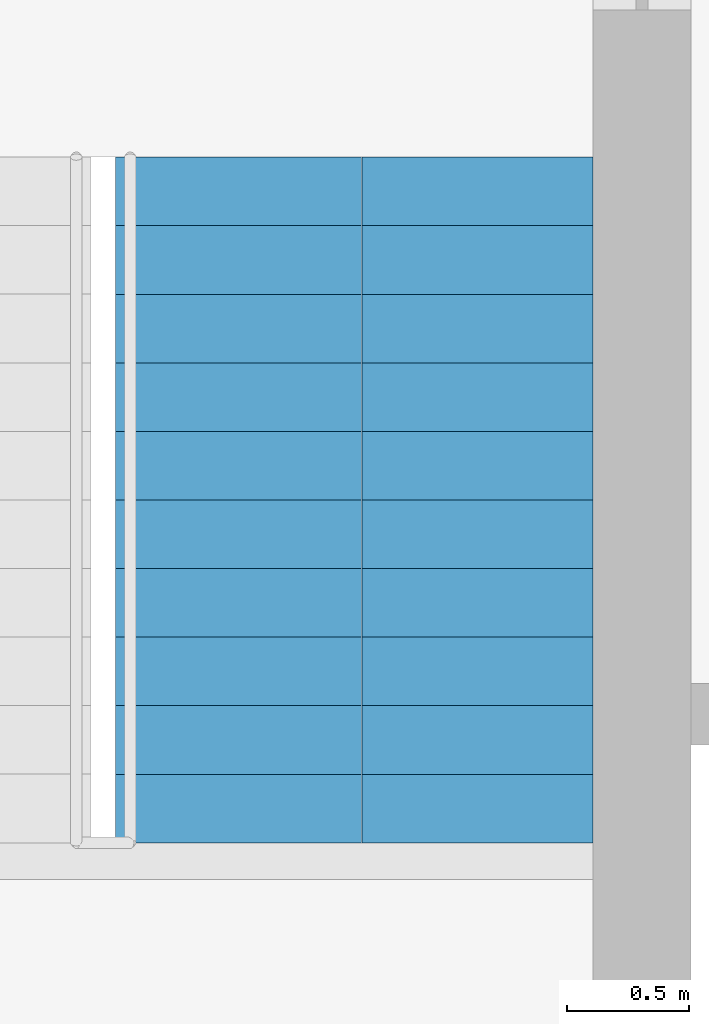
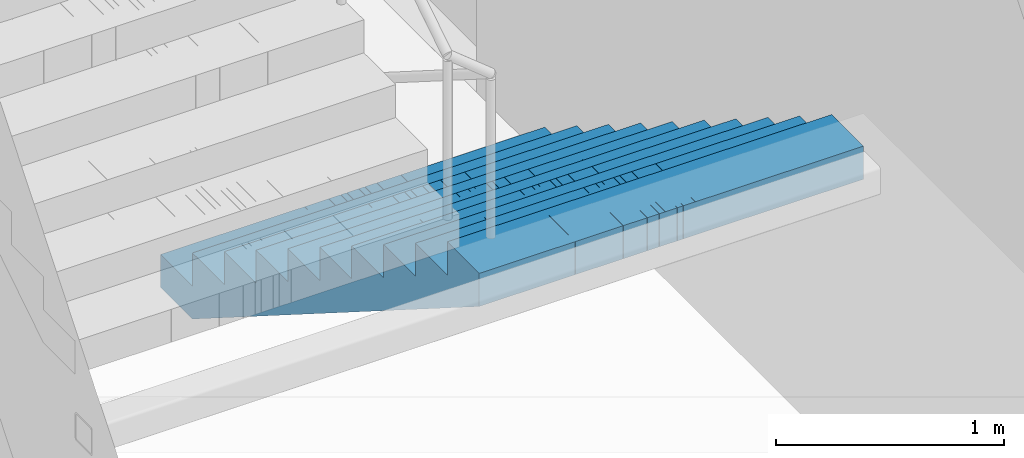
# One storey, part 21 of 22: 1 stair flight, 1 element without a shape of its own.
"""IFC4 building model written with IfcOpenShell, lengths in metres."""

import ifcopenshell
import ifcopenshell.guid

model = None  # the IFC model being written
_history = None  # IfcOwnerHistory: only IFC2X3 demands one
_inside = {}  # id of a spatial element -> (the spatial element, [elements in it])
_under = {}  # id of a project, library or spatial element -> (it, [spatial elements below it])
_declared = {}  # id of a project -> (the project, [libraries it declares])
_typed = {}  # id of a type object -> (the type object, [elements of that type])
_made_of = {}  # id of a material, layer set ... -> (it, [elements and type objects made of it])


def new_model(schema):
    """Start an empty IFC model of exactly this schema.

    Asked for "IFC4X3", IfcOpenShell would pick the latest addendum, in which some entities
    have other attributes; the version numbers below select the first issue.
    IFC2X3 requires an IfcOwnerHistory on every rooted entity: one is made here for all.
    """
    global model, _history
    if schema == "IFC4X3":
        model = ifcopenshell.file(schema_version=(4, 3, 0, 0))
    else:
        model = ifcopenshell.file(schema=schema)
    _inside.clear()
    _under.clear()
    _declared.clear()
    _typed.clear()
    _made_of.clear()
    _history = None
    if model.schema == "IFC2X3":
        org = make("IfcOrganization", Name="unknown")
        user = make(
            "IfcPersonAndOrganization",
            ThePerson=make("IfcPerson", FamilyName="unknown"),
            TheOrganization=org,
        )
        app = make(
            "IfcApplication",
            ApplicationDeveloper=org,
            Version="unknown",
            ApplicationFullName="unknown",
            ApplicationIdentifier="unknown",
        )
        _history = make(
            "IfcOwnerHistory",
            OwningUser=user,
            OwningApplication=app,
            ChangeAction="ADDED",
            CreationDate=0,
        )
    return model


def make(cls, **values):
    """One entity of the class cls with the attributes given. An attribute that is None is left unset."""
    return model.create_entity(
        cls, **{name: value for name, value in values.items() if value is not None}
    )


def rooted(cls, **values):
    """An entity with a GlobalId (a new one), such as an element, a storey or a relation."""
    return make(cls, GlobalId=ifcopenshell.guid.new(), OwnerHistory=_history, **values)


def si_unit(unit_type, name, prefix=None):
    """IfcSIUnit, for example si_unit("LENGTHUNIT", "METRE", prefix="MILLI")."""
    return make("IfcSIUnit", UnitType=unit_type, Prefix=prefix, Name=name)


def assignment(units):
    """IfcUnitAssignment: the units of a project."""
    return None if units is None else make("IfcUnitAssignment", Units=units)


def point(xyz):
    """IfcCartesianPoint."""
    return None if xyz is None else make("IfcCartesianPoint", Coordinates=xyz)


def direction(xyz):
    """IfcDirection."""
    return None if xyz is None else make("IfcDirection", DirectionRatios=xyz)


def frame(location, z_axis=None, x_axis=None):
    """IfcAxis2Placement3D, a coordinate frame: its origin and axes. An axis left out is left unset."""
    return make(
        "IfcAxis2Placement3D",
        Location=point(location),
        Axis=direction(z_axis),
        RefDirection=direction(x_axis),
    )


def origin():
    """The frame at (0, 0, 0) with its axes left unset."""
    return frame((0.0, 0.0, 0.0))


def place(relative_to, where):
    """IfcLocalPlacement: puts the frame where relative to a parent placement (None: the world)."""
    return make(
        "IfcLocalPlacement", PlacementRelTo=relative_to, RelativePlacement=where
    )


def context(
    kind, dimensions, precision=None, world=None, true_north=None, identifier=None
):
    """IfcGeometricRepresentationContext, for example the 3D "Model" context."""
    return make(
        "IfcGeometricRepresentationContext",
        ContextIdentifier=identifier,
        ContextType=kind,
        CoordinateSpaceDimension=dimensions,
        Precision=precision,
        WorldCoordinateSystem=world,
        TrueNorth=true_north,
    )


def subcontext(parent, identifier, kind, view, scale=None):
    """IfcGeometricRepresentationSubContext, for example "Body" below "Model"."""
    return make(
        "IfcGeometricRepresentationSubContext",
        ContextIdentifier=identifier,
        ContextType=kind,
        ParentContext=parent,
        TargetScale=scale,
        TargetView=view,
    )


def project(units=None, contexts=None):
    """IfcProject with its units and contexts."""
    return rooted(
        "IfcProject",
        Name="project",
        RepresentationContexts=contexts,
        UnitsInContext=assignment(units),
    )


def spatial(cls, under=None, at=None, **own):
    """A site, building, storey or space (cls), placed at a placement, below another one or the project."""
    s = rooted(cls, ObjectPlacement=at, **own)
    if under is not None:
        _under.setdefault(under.id(), (under, []))[1].append(s)
    return s


def polyline(points):
    """IfcPolyline through the points."""
    return make("IfcPolyline", Points=[point(p) for p in points])


def outline(outer, holes=None, kind="AREA"):
    """IfcArbitraryClosedProfileDef: a profile drawn as a closed curve; with holes, ...WithVoids."""
    if holes is None:
        return make("IfcArbitraryClosedProfileDef", ProfileType=kind, OuterCurve=outer)
    return make(
        "IfcArbitraryProfileDefWithVoids",
        ProfileType=kind,
        OuterCurve=outer,
        InnerCurves=holes,
    )


def extrude(swept, where, along, depth):
    """IfcExtrudedAreaSolid: the profile swept, set in the frame where, extruded along a direction by depth."""
    return make(
        "IfcExtrudedAreaSolid",
        SweptArea=swept,
        Position=where,
        ExtrudedDirection=direction(along),
        Depth=depth,
    )


def shape(context_of_items, identifier, shape_type, items):
    """IfcShapeRepresentation: the items that make up one representation, for example the "Body"."""
    return make(
        "IfcShapeRepresentation",
        ContextOfItems=context_of_items,
        RepresentationIdentifier=identifier,
        RepresentationType=shape_type,
        Items=items,
    )


def material(Name=None, Category=None):
    """IfcMaterial."""
    return make("IfcMaterial", Name=Name, Category=Category)


def made_of(thing, what):
    """Note that an element or type object is made of a material, layer set ...; save() writes the relation."""
    if what is not None:
        _made_of.setdefault(what.id(), (what, []))[1].append(thing)
    return thing


def type_object(cls, material=None, **own):
    """A type object (cls), such as IfcWallType, which elements share."""
    return made_of(rooted(cls, **own), material)


def element(
    cls,
    number,
    at=None,
    inside=None,
    cuts=None,
    type_object=None,
    material=None,
    context=None,
    identifier="Body",
    shape_type=None,
    held_by="IfcProductDefinitionShape",
    body=None,
    shapes=None,
    **own,
):
    """One element of the class cls, such as IfcWall. Its Tag is "e" and its number.

    at: its placement. inside: the storey or other place that contains it. cuts: it is an
    opening in that element (IfcRelVoidsElement). A single representation is given by context,
    identifier, shape_type and body (its items); several are given by shapes. held_by: the class
    of the entity that holds the representations. save() writes the other relations.
    """
    e = rooted(cls, Tag="e%d" % number, ObjectPlacement=at, **own)
    if body is not None:
        shapes = [shape(context, identifier, shape_type, body)]
    if shapes is not None:
        e.Representation = make(held_by, Representations=shapes)
    if inside is not None:
        _inside.setdefault(inside.id(), (inside, []))[1].append(e)
    if cuts is not None:
        rooted(
            "IfcRelVoidsElement", RelatingBuildingElement=cuts, RelatedOpeningElement=e
        )
    if type_object is not None:
        _typed.setdefault(type_object.id(), (type_object, []))[1].append(e)
    return made_of(e, material)


def aggregate(whole, parts):
    """IfcRelAggregates: a whole, such as a stair, and the parts it consists of."""
    return rooted("IfcRelAggregates", RelatingObject=whole, RelatedObjects=parts)


def save(model, path):
    """Write the relations noted so far, then the file.

    IfcRelAggregates (storeys below a building ...), IfcRelContainedInSpatialStructure (elements
    in a storey), IfcRelDefinesByType, IfcRelAssociatesMaterial and IfcRelDeclares: one each for
    every whole, place, type object, material and project.
    """
    for whole, parts in _under.values():
        aggregate(whole, parts)
    for where, things in _inside.values():
        rooted(
            "IfcRelContainedInSpatialStructure",
            RelatedElements=things,
            RelatingStructure=where,
        )
    for kind, things in _typed.values():
        rooted("IfcRelDefinesByType", RelatedObjects=things, RelatingType=kind)
    for what, things in _made_of.values():
        rooted("IfcRelAssociatesMaterial", RelatedObjects=things, RelatingMaterial=what)
    for by, libraries in _declared.values():
        rooted("IfcRelDeclares", RelatingContext=by, RelatedDefinitions=libraries)
    model.write(path)


model = new_model("IFC4")

# Units and contexts
model_context = context("Model", 3, precision=1e-05, world=origin(), true_north=direction((0.0, 1.0)))
body_context = subcontext(model_context, "Body", "Model", "MODEL_VIEW")
ifc_project = project(units=[si_unit("LENGTHUNIT", "METRE"), si_unit("AREAUNIT", "SQUARE_METRE"), si_unit("VOLUMEUNIT", "CUBIC_METRE"), si_unit("PLANEANGLEUNIT", "RADIAN"), si_unit("MASSUNIT", "GRAM", prefix="KILO")], contexts=[model_context])

# Site, building, storey
site_placement = place(None, origin())
site = spatial("IfcSite", under=ifc_project, at=site_placement, CompositionType="ELEMENT")
building_placement = place(site_placement, origin())
building = spatial("IfcBuilding", under=site, at=building_placement, Name="Mizan Broadcast Tower", CompositionType="ELEMENT")
storey_placement = place(building_placement, frame((0.0, 0.0, 74.699951171875)))
storey = spatial("IfcBuildingStorey", under=building, at=storey_placement, Name="L15", CompositionType="ELEMENT", Elevation=74.699951171875)

# Stair, stair flight
ifc_material_1 = material(Name="Concrete C40/50", Category="concrete")
stair_type = type_object("IfcStairType", Name="EXIT STAIR", PredefinedType="HALF_TURN_STAIR", material=ifc_material_1)
stair_placement = place(storey_placement, origin())
stair = element("IfcStair", 1, at=stair_placement, inside=storey, type_object=stair_type, Name="Stair B L15", PredefinedType="HALF_TURN_STAIR")
ifc_material_2 = material(Name="Concrete C40/50", Category="concrete")
stair_flight_type = type_object("IfcStairFlightType", Name="EXIT STAIR FLIGHT", PredefinedType="STRAIGHT", material=ifc_material_2)
stair_flight_placement = place(storey_placement, frame((1.02490234375, 7.89990234375, 0.0), z_axis=(0.0, 0.0, 1.0), x_axis=(0.0, -1.0, 0.0)))
stair_flight = element("IfcStairFlight", 2, at=stair_flight_placement, type_object=stair_flight_type, Name="B flight 1", NumberOfRisers=11, NumberOfTreads=10, PredefinedType="STRAIGHT", RiserHeight=0.177272727, TreadLength=0.28, context=body_context, shape_type="SweptSolid", body=[
    extrude(outline(polyline([(0.0, 0.0), (0.0, 0.17724609375), (0.280029296875, 0.17724609375), (0.280029296875, 0.3544921875), (0.56005859375, 0.3544921875), (0.56005859375, 0.53173828125), (0.840087890625, 0.53173828125), (0.840087890625, 0.708984375), (1.1201171875, 0.708984375), (1.1201171875, 0.886474609375), (1.39990234375, 0.886474609375), (1.39990234375, 1.063720703125), (1.679931640625, 1.063720703125), (1.679931640625, 1.240966796875), (1.9599609375, 1.240966796875), (1.9599609375, 1.418212890625), (2.239990234375, 1.418212890625), (2.239990234375, 1.595458984375), (2.52001953125, 1.595458984375), (2.52001953125, 1.772705078125), (2.800048828125, 1.772705078125), (2.800048828125, 1.949951171875), (2.800048828125, 1.59521484375), (0.2802734375, 0.0), (0.0, 0.0)])), frame((0.0, 0.97509765625, 0.0), z_axis=(0.0, -1.0, 0.0), x_axis=(1.0, 0.0, 0.0)), (0.0, 0.0, 1.0), 0.4873046875),
    extrude(outline(polyline([(0.0, 0.0), (0.0, 0.17724609375), (0.280029296875, 0.17724609375), (0.280029296875, 0.3544921875), (0.56005859375, 0.3544921875), (0.56005859375, 0.53173828125), (0.840087890625, 0.53173828125), (0.840087890625, 0.708984375), (1.1201171875, 0.708984375), (1.1201171875, 0.886474609375), (1.39990234375, 0.886474609375), (1.39990234375, 1.063720703125), (1.679931640625, 1.063720703125), (1.679931640625, 1.240966796875), (1.9599609375, 1.240966796875), (1.9599609375, 1.418212890625), (2.239990234375, 1.418212890625), (2.239990234375, 1.595458984375), (2.52001953125, 1.595458984375), (2.52001953125, 1.772705078125), (2.800048828125, 1.772705078125), (2.800048828125, 1.949951171875), (2.800048828125, 1.59521484375), (0.2802734375, 0.0), (0.0, 0.0)])), frame((0.0, 0.4873046875, 0.0), z_axis=(0.0, -1.0, 0.0), x_axis=(1.0, 0.0, 0.0)), (0.0, 0.0, 1.0), 0.2431640625),
    extrude(outline(polyline([(0.0, 0.0), (0.0, 0.17724609375), (0.280029296875, 0.17724609375), (0.280029296875, 0.3544921875), (0.56005859375, 0.3544921875), (0.56005859375, 0.53173828125), (0.840087890625, 0.53173828125), (0.840087890625, 0.708984375), (1.1201171875, 0.708984375), (1.1201171875, 0.886474609375), (1.39990234375, 0.886474609375), (1.39990234375, 1.063720703125), (1.679931640625, 1.063720703125), (1.679931640625, 1.240966796875), (1.9599609375, 1.240966796875), (1.9599609375, 1.418212890625), (2.239990234375, 1.418212890625), (2.239990234375, 1.595458984375), (2.52001953125, 1.595458984375), (2.52001953125, 1.772705078125), (2.800048828125, 1.772705078125), (2.800048828125, 1.949951171875), (2.800048828125, 1.59521484375), (0.2802734375, 0.0), (0.0, 0.0)])), frame((0.0, 0.24365234375, 0.0), z_axis=(0.0, -1.0, 0.0), x_axis=(1.0, 0.0, 0.0)), (0.0, 0.0, 1.0), 0.121337890625),
    extrude(outline(polyline([(0.0, 0.0), (0.0, 0.17724609375), (0.280029296875, 0.17724609375), (0.280029296875, 0.3544921875), (0.56005859375, 0.3544921875), (0.56005859375, 0.53173828125), (0.840087890625, 0.53173828125), (0.840087890625, 0.708984375), (1.1201171875, 0.708984375), (1.1201171875, 0.886474609375), (1.39990234375, 0.886474609375), (1.39990234375, 1.063720703125), (1.679931640625, 1.063720703125), (1.679931640625, 1.240966796875), (1.9599609375, 1.240966796875), (1.9599609375, 1.418212890625), (2.239990234375, 1.418212890625), (2.239990234375, 1.595458984375), (2.52001953125, 1.595458984375), (2.52001953125, 1.772705078125), (2.800048828125, 1.772705078125), (2.800048828125, 1.949951171875), (2.800048828125, 1.59521484375), (0.2802734375, 0.0), (0.0, 0.0)])), frame((0.0, 0.121826171875, 0.0), z_axis=(0.0, -1.0, 0.0), x_axis=(1.0, 0.0, 0.0)), (0.0, 0.0, 1.0), 0.060546875),
    extrude(outline(polyline([(0.0, 0.0), (0.0, 0.17724609375), (0.280029296875, 0.17724609375), (0.280029296875, 0.3544921875), (0.56005859375, 0.3544921875), (0.56005859375, 0.53173828125), (0.840087890625, 0.53173828125), (0.840087890625, 0.708984375), (1.1201171875, 0.708984375), (1.1201171875, 0.886474609375), (1.39990234375, 0.886474609375), (1.39990234375, 1.063720703125), (1.679931640625, 1.063720703125), (1.679931640625, 1.240966796875), (1.9599609375, 1.240966796875), (1.9599609375, 1.418212890625), (2.239990234375, 1.418212890625), (2.239990234375, 1.595458984375), (2.52001953125, 1.595458984375), (2.52001953125, 1.772705078125), (2.800048828125, 1.772705078125), (2.800048828125, 1.949951171875), (2.800048828125, 1.59521484375), (0.2802734375, 0.0), (0.0, 0.0)])), frame((0.0, 0.060791015625, 0.0), z_axis=(0.0, -1.0, 0.0), x_axis=(1.0, 0.0, 0.0)), (0.0, 0.0, 1.0), 0.030029296875),
    extrude(outline(polyline([(0.0, 0.0), (0.0, 0.17724609375), (0.280029296875, 0.17724609375), (0.280029296875, 0.3544921875), (0.56005859375, 0.3544921875), (0.56005859375, 0.53173828125), (0.840087890625, 0.53173828125), (0.840087890625, 0.708984375), (1.1201171875, 0.708984375), (1.1201171875, 0.886474609375), (1.39990234375, 0.886474609375), (1.39990234375, 1.063720703125), (1.679931640625, 1.063720703125), (1.679931640625, 1.240966796875), (1.9599609375, 1.240966796875), (1.9599609375, 1.418212890625), (2.239990234375, 1.418212890625), (2.239990234375, 1.595458984375), (2.52001953125, 1.595458984375), (2.52001953125, 1.772705078125), (2.800048828125, 1.772705078125), (2.800048828125, 1.949951171875), (2.800048828125, 1.59521484375), (0.2802734375, 0.0), (0.0, 0.0)])), frame((0.0, 0.0302734375, 0.0), z_axis=(0.0, -1.0, 0.0), x_axis=(1.0, 0.0, 0.0)), (0.0, 0.0, 1.0), 0.060302734375),
    extrude(outline(polyline([(0.0, 0.0), (0.0, 0.17724609375), (0.280029296875, 0.17724609375), (0.280029296875, 0.3544921875), (0.56005859375, 0.3544921875), (0.56005859375, 0.53173828125), (0.840087890625, 0.53173828125), (0.840087890625, 0.708984375), (1.1201171875, 0.708984375), (1.1201171875, 0.886474609375), (1.39990234375, 0.886474609375), (1.39990234375, 1.063720703125), (1.679931640625, 1.063720703125), (1.679931640625, 1.240966796875), (1.9599609375, 1.240966796875), (1.9599609375, 1.418212890625), (2.239990234375, 1.418212890625), (2.239990234375, 1.595458984375), (2.52001953125, 1.595458984375), (2.52001953125, 1.772705078125), (2.800048828125, 1.772705078125), (2.800048828125, 1.949951171875), (2.800048828125, 1.59521484375), (0.2802734375, 0.0), (0.0, 0.0)])), frame((0.0, -0.030517578125, 0.0), z_axis=(0.0, -1.0, 0.0), x_axis=(1.0, 0.0, 0.0)), (0.0, 0.0, 1.0), 0.030029296875),
    extrude(outline(polyline([(0.0, 0.0), (0.0, 0.17724609375), (0.280029296875, 0.17724609375), (0.280029296875, 0.3544921875), (0.56005859375, 0.3544921875), (0.56005859375, 0.53173828125), (0.840087890625, 0.53173828125), (0.840087890625, 0.708984375), (1.1201171875, 0.708984375), (1.1201171875, 0.886474609375), (1.39990234375, 0.886474609375), (1.39990234375, 1.063720703125), (1.679931640625, 1.063720703125), (1.679931640625, 1.240966796875), (1.9599609375, 1.240966796875), (1.9599609375, 1.418212890625), (2.239990234375, 1.418212890625), (2.239990234375, 1.595458984375), (2.52001953125, 1.595458984375), (2.52001953125, 1.772705078125), (2.800048828125, 1.772705078125), (2.800048828125, 1.949951171875), (2.800048828125, 1.59521484375), (0.2802734375, 0.0), (0.0, 0.0)])), frame((0.0, -0.06103515625, 0.0), z_axis=(0.0, -1.0, 0.0), x_axis=(1.0, 0.0, 0.0)), (0.0, 0.0, 1.0), 0.060546875),
    extrude(outline(polyline([(0.0, 0.0), (0.0, 0.17724609375), (0.280029296875, 0.17724609375), (0.280029296875, 0.3544921875), (0.56005859375, 0.3544921875), (0.56005859375, 0.53173828125), (0.840087890625, 0.53173828125), (0.840087890625, 0.708984375), (1.1201171875, 0.708984375), (1.1201171875, 0.886474609375), (1.39990234375, 0.886474609375), (1.39990234375, 1.063720703125), (1.679931640625, 1.063720703125), (1.679931640625, 1.240966796875), (1.9599609375, 1.240966796875), (1.9599609375, 1.418212890625), (2.239990234375, 1.418212890625), (2.239990234375, 1.595458984375), (2.52001953125, 1.595458984375), (2.52001953125, 1.772705078125), (2.800048828125, 1.772705078125), (2.800048828125, 1.949951171875), (2.800048828125, 1.59521484375), (0.2802734375, 0.0), (0.0, 0.0)])), frame((0.0, -0.1220703125, 0.0), z_axis=(0.0, -1.0, 0.0), x_axis=(1.0, 0.0, 0.0)), (0.0, 0.0, 1.0), 0.121337890625),
    extrude(outline(polyline([(0.0, 0.0), (0.0, 0.17724609375), (0.280029296875, 0.17724609375), (0.280029296875, 0.3544921875), (0.56005859375, 0.3544921875), (0.56005859375, 0.53173828125), (0.840087890625, 0.53173828125), (0.840087890625, 0.708984375), (1.1201171875, 0.708984375), (1.1201171875, 0.886474609375), (1.39990234375, 0.886474609375), (1.39990234375, 1.063720703125), (1.679931640625, 1.063720703125), (1.679931640625, 1.240966796875), (1.9599609375, 1.240966796875), (1.9599609375, 1.418212890625), (2.239990234375, 1.418212890625), (2.239990234375, 1.595458984375), (2.52001953125, 1.595458984375), (2.52001953125, 1.772705078125), (2.800048828125, 1.772705078125), (2.800048828125, 1.949951171875), (2.800048828125, 1.59521484375), (0.2802734375, 0.0), (0.0, 0.0)])), frame((0.0, -0.243896484375, 0.0), z_axis=(0.0, -1.0, 0.0), x_axis=(1.0, 0.0, 0.0)), (0.0, 0.0, 1.0), 0.2431640625),
    extrude(outline(polyline([(0.0, 0.0), (0.0, 0.17724609375), (0.280029296875, 0.17724609375), (0.280029296875, 0.3544921875), (0.56005859375, 0.3544921875), (0.56005859375, 0.53173828125), (0.840087890625, 0.53173828125), (0.840087890625, 0.708984375), (1.1201171875, 0.708984375), (1.1201171875, 0.886474609375), (1.39990234375, 0.886474609375), (1.39990234375, 1.063720703125), (1.679931640625, 1.063720703125), (1.679931640625, 1.240966796875), (1.9599609375, 1.240966796875), (1.9599609375, 1.418212890625), (2.239990234375, 1.418212890625), (2.239990234375, 1.595458984375), (2.52001953125, 1.595458984375), (2.52001953125, 1.772705078125), (2.800048828125, 1.772705078125), (2.800048828125, 1.949951171875), (2.800048828125, 1.59521484375), (0.2802734375, 0.0), (0.0, 0.0)])), frame((0.0, -0.487548828125, 0.0), z_axis=(0.0, -1.0, 0.0), x_axis=(1.0, 0.0, 0.0)), (0.0, 0.0, 1.0), 0.4873046875),
])
aggregate(stair, [stair_flight])

save(model, "model.ifc")
